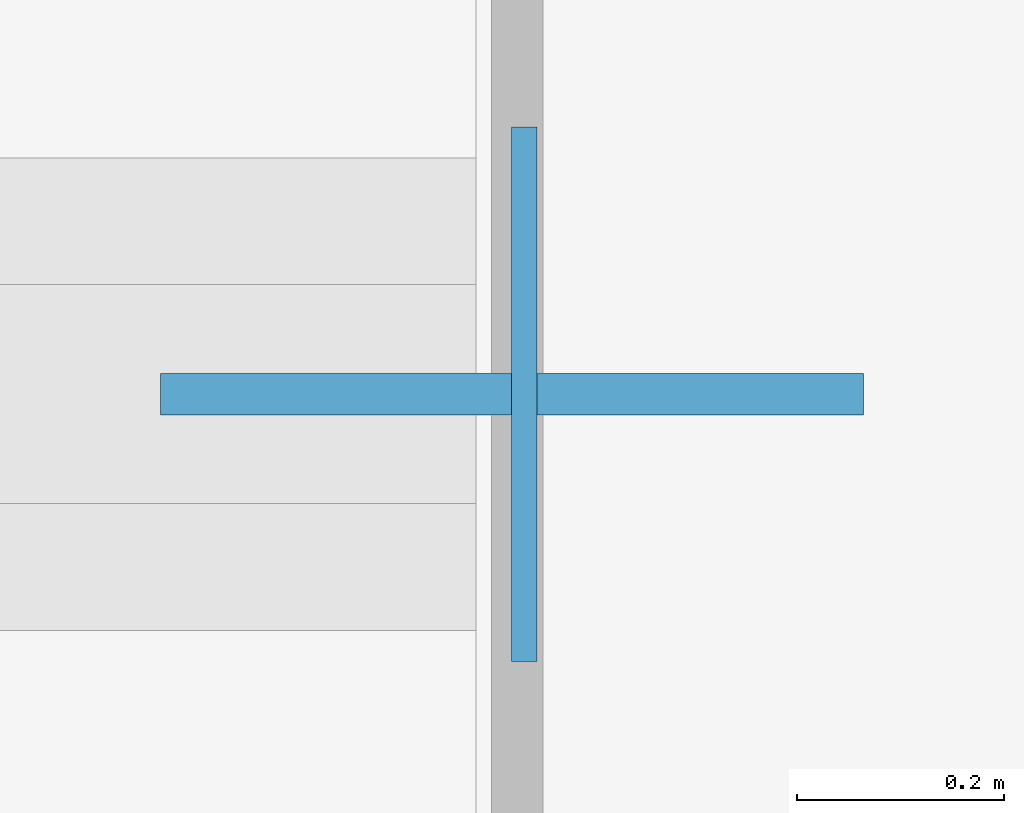
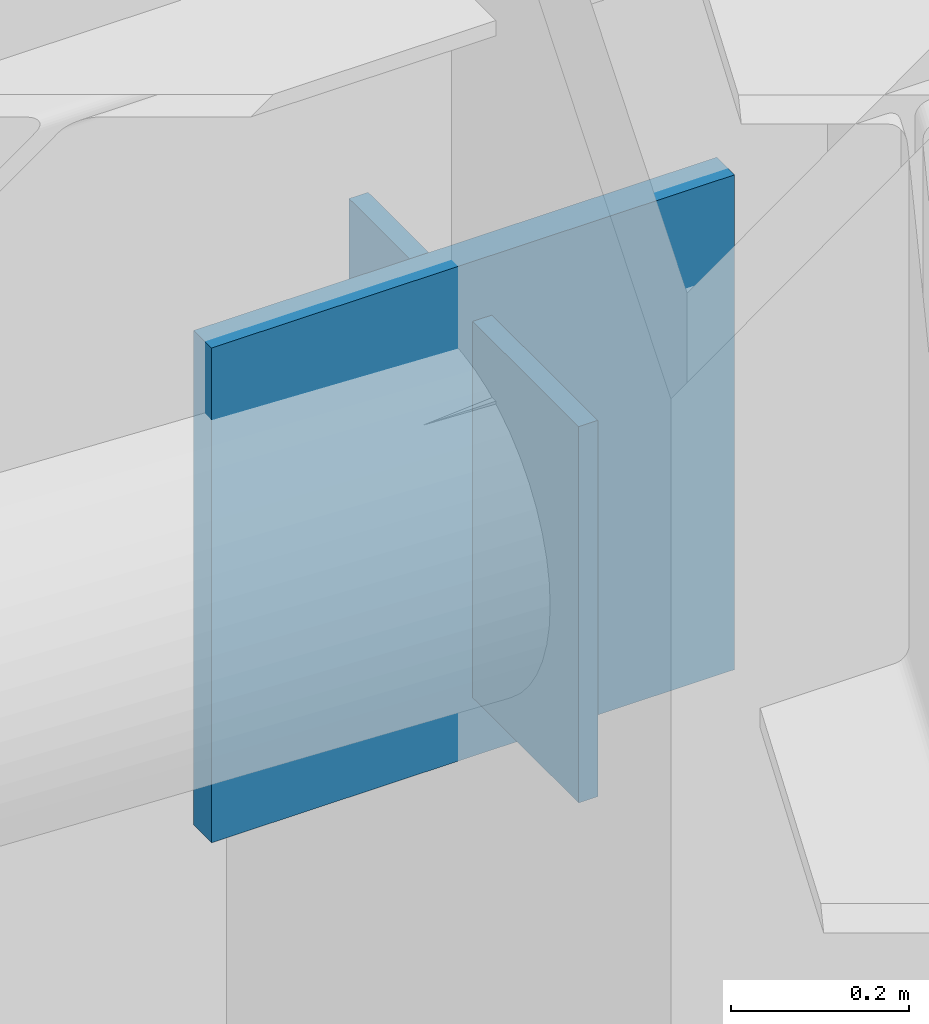
# One storey, part 10 of 17: 2 plates.
"""IFC4 building model written with IfcOpenShell, lengths in metres."""

from ifc_helpers import new_model, si_unit, direction, frame, origin, origin_2d, place, context, subcontext, project, spatial, rectangle, extrude, material, layer, layer_set, type_object, element, save


model = new_model("IFC4")

# Units and contexts
model_context = context("Model", 3, precision=1e-05, world=origin(), true_north=direction((0.0, 1.0)))
body_context = subcontext(model_context, "Body", "Model", "MODEL_VIEW")
ifc_project = project(units=[si_unit("LENGTHUNIT", "METRE"), si_unit("AREAUNIT", "SQUARE_METRE"), si_unit("VOLUMEUNIT", "CUBIC_METRE"), si_unit("PLANEANGLEUNIT", "RADIAN"), si_unit("MASSUNIT", "GRAM", prefix="KILO")], contexts=[model_context])

# Site, building, storey
site_placement = place(None, origin())
site = spatial("IfcSite", under=ifc_project, at=site_placement, CompositionType="ELEMENT")
building_placement = place(site_placement, origin())
building = spatial("IfcBuilding", under=site, at=building_placement, Name="Khamvora Tower", CompositionType="ELEMENT")
storey_placement = place(building_placement, frame((0.0, 0.0, 131.10009765625)))
storey = spatial("IfcBuildingStorey", under=building, at=storey_placement, Name="L33", CompositionType="ELEMENT", Elevation=131.10009765625)

# Plates
ifc_material_1 = material(Name="Steel S355", Category="steel")
ifc_layer_1 = layer(ifc_material_1, 0.02490234375)
ifc_layer_set_1 = layer_set([ifc_layer_1], Name="Steel S355")
plate_type_1 = type_object("IfcPlateType", Name="PL-CAP-25", PredefinedType="SHEET", material=ifc_layer_set_1)
plate_1_placement = place(storey_placement, frame((49.48193359375, 47.300048828125, 2.4404296875), z_axis=(0.0, 0.0, 1.0), x_axis=(-1.0, 0.0, 0.0)))
element("IfcPlate", 1, at=plate_1_placement, inside=storey, type_object=plate_type_1, Name="L33 hollow section steel end cap plate 0778", PredefinedType="SHEET", context=body_context, shape_type="SweptSolid", body=[
    extrude(rectangle(XDim=0.02490234375, YDim=0.51708984375, at=origin_2d()), origin(), (0.0, 0.0, 1.0), 0.51708984375),
])
ifc_material_2 = material(Name="Steel S460", Category="steel")
ifc_layer_2 = layer(ifc_material_2, 0.0400390625)
ifc_layer_set_2 = layer_set([ifc_layer_2], Name="Steel S460")
plate_type_2 = type_object("IfcPlateType", Name="PLT-GUS-40", PredefinedType="SHEET", material=ifc_layer_set_2)
plate_2_placement = place(storey_placement, frame((49.469970703125, 47.300048828125, 2.35986328125), z_axis=(0.0, 0.0, 1.0), x_axis=(1.0, 0.0, 0.0)))
element("IfcPlate", 2, at=plate_2_placement, inside=storey, type_object=plate_type_2, Name="L33 brace connection node gusset plate 0211", PredefinedType="SHEET", context=body_context, shape_type="SweptSolid", body=[
    extrude(rectangle(XDim=0.679931640625, YDim=0.0400390625, at=origin_2d()), origin(), (0.0, 0.0, 1.0), 0.679931640625),
])

save(model, "model.ifc")
